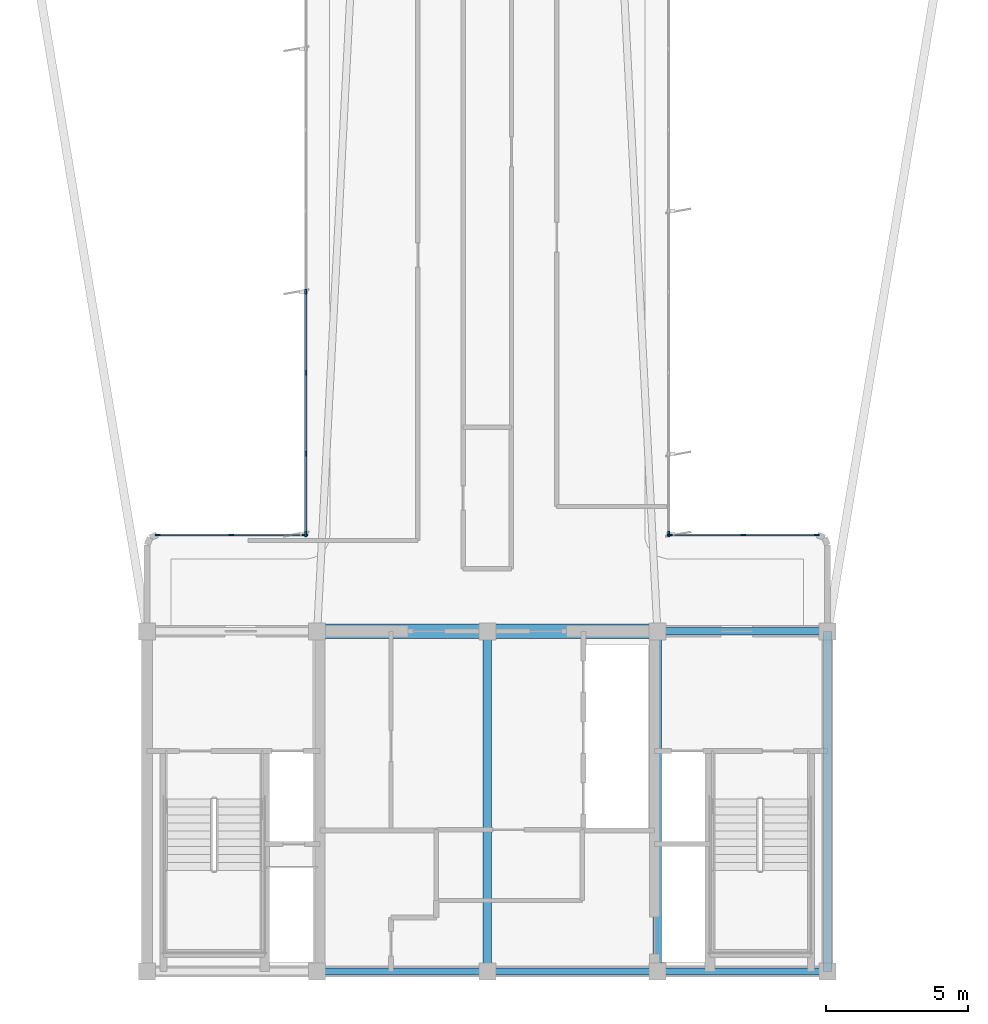
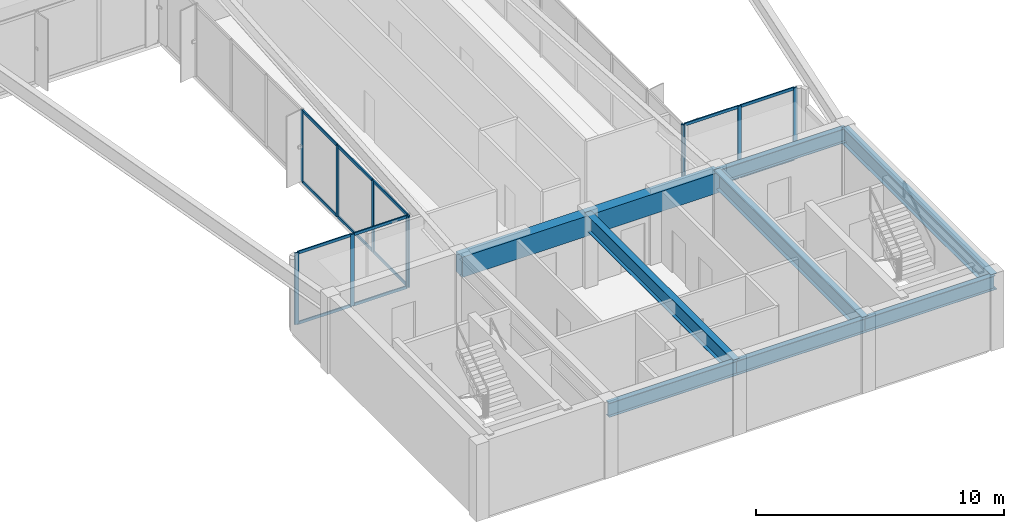
# One storey, part 2 of 15: 25 members, 8 beams, 4 elements without a shape of their own.
"""IFC4 building model written with IfcOpenShell, lengths in metres."""

from ifc_helpers import new_model, si_unit, direction, frame, origin, origin_2d, place, context, subcontext, project, spatial, rectangle, i_section, extrude, source, transform, mapped, material, layer, layer_set, material_profile, profile_set, type_object, element, aggregate, save


model = new_model("IFC4")

# Units and contexts
model_context = context("Model", 3, precision=1e-05, world=origin(), true_north=direction((0.0, 1.0)))
body_context = subcontext(model_context, "Body", "Model", "MODEL_VIEW")
ifc_project = project(units=[si_unit("LENGTHUNIT", "METRE"), si_unit("AREAUNIT", "SQUARE_METRE"), si_unit("VOLUMEUNIT", "CUBIC_METRE"), si_unit("PLANEANGLEUNIT", "RADIAN"), si_unit("MASSUNIT", "GRAM", prefix="KILO")], contexts=[model_context])

# Site, building, storey
site_placement = place(None, origin())
site = spatial("IfcSite", under=ifc_project, at=site_placement, CompositionType="ELEMENT")
building_placement = place(site_placement, origin())
building = spatial("IfcBuilding", under=site, at=building_placement, Name="Brelvock Crest Care Tower", CompositionType="ELEMENT")
storey_placement = place(building_placement, frame((0.0, 0.0, 249.47998046875)))
storey = spatial("IfcBuildingStorey", under=building, at=storey_placement, Name="L63", CompositionType="ELEMENT", Elevation=249.47998046875)

# Beams
ifc_material_1 = material(Name="Steel Grade 350", Category="steel")
ifc_material_profile_1 = material_profile(ifc_material_1, i_section(OverallWidth=0.25, OverallDepth=0.699951171875, WebThickness=0.011962890625, FlangeThickness=0.02001953125, at=origin_2d()), Name="700WB150")
ifc_profile_set_1 = profile_set([ifc_material_profile_1], Name="Steel Grade 350")
beam_type_1 = type_object("IfcBeamType", Name="BM-G4", PredefinedType="BEAM", material=ifc_profile_set_1)
shared_shape_1 = source(origin(), body_context, "Body", "SweptSolid", [
    extrude(i_section(OverallWidth=0.25, OverallDepth=0.699951171875, WebThickness=0.011962890625, FlangeThickness=0.02001953125, at=origin_2d()), origin(), (0.0, 0.0, 1.0), 6.0),
])
for number, where, z_axis, x_axis, name in (
    (1, (30.0, 6.0, 3.179931640625), (1.0, 0.0, 0.0), (0.0, 1.0, 0.0), "BM-CORES-L63-2"),
    (2, (36.0, 6.0, 3.179931640625), (1.0, 0.0, 0.0), (0.0, 1.0, 0.0), "BM-CORES-L63-3"),
    (3, (42.0, 6.0, 3.179931640625), (1.0, 0.0, 0.0), (0.0, 1.0, 0.0), "BM-CORES-L63-4"),
    (4, (42.0, 18.0, 3.179931640625), (1.0, 0.0, 0.0), (0.0, 1.0, 0.0), "BM-COREN-L63-4"),
):
    element("IfcBeam", number, at=place(storey_placement, frame(where, z_axis=z_axis, x_axis=x_axis)), inside=storey, type_object=beam_type_1, Name=name, PredefinedType="BEAM", context=body_context, shape_type="MappedRepresentation", body=[
        mapped(shared_shape_1, transform((0.0, 0.0, 0.0), x_axis=(1.0, 0.0, 0.0), y_axis=(0.0, 1.0, 0.0), z_axis=(0.0, 0.0, 1.0), scale=1.0)),
    ])
ifc_material_profile_2 = material_profile(ifc_material_1, i_section(OverallWidth=0.300048828125, OverallDepth=0.800048828125, WebThickness=0.013916015625, FlangeThickness=0.02197265625, at=origin_2d()), Name="800WB192")
ifc_profile_set_2 = profile_set([ifc_material_profile_2], Name="Steel Grade 350")
beam_type_2 = type_object("IfcBeamType", Name="BM-G5", PredefinedType="BEAM", material=ifc_profile_set_2)
shared_shape_2 = source(origin(), body_context, "Body", "SweptSolid", [
    extrude(i_section(OverallWidth=0.300048828125, OverallDepth=0.800048828125, WebThickness=0.013916015625, FlangeThickness=0.02197265625, at=origin_2d()), origin(), (0.0, 0.0, 1.0), 12.0),
])
for number, where, z_axis, x_axis, name in (
    (5, (36.0, 6.0, 3.130126953125), (0.0, 1.0, 0.0), (-1.0, 0.0, 0.0), "BM-COREX-L63-3"),
    (6, (42.0, 6.0, 3.130126953125), (0.0, 1.0, 0.0), (-1.0, 0.0, 0.0), "BM-COREX-L63-4"),
    (7, (48.0, 6.0, 3.130126953125), (0.0, 1.0, 0.0), (-1.0, 0.0, 0.0), "BM-COREX-L63-5"),
):
    element("IfcBeam", number, at=place(storey_placement, frame(where, z_axis=z_axis, x_axis=x_axis)), inside=storey, type_object=beam_type_2, Name=name, PredefinedType="BEAM", context=body_context, shape_type="MappedRepresentation", body=[
        mapped(shared_shape_2, transform((0.0, 0.0, 0.0), x_axis=(1.0, 0.0, 0.0), y_axis=(0.0, 1.0, 0.0), z_axis=(0.0, 0.0, 1.0), scale=1.0)),
    ])
ifc_material_2 = material(Name="Concrete S65 (65 MPa)", Category="concrete")
ifc_material_profile_3 = material_profile(ifc_material_2, rectangle(XDim=0.5, YDim=1.0, at=origin_2d()), Name="RC500x1000")
ifc_profile_set_3 = profile_set([ifc_material_profile_3], Name="Concrete S65 (65 MPa)")
beam_type_3 = type_object("IfcBeamType", Name="BM-LN2", PredefinedType="LINTEL", material=ifc_profile_set_3)
shared_shape_3 = source(origin(), body_context, "Body", "SweptSolid", [
    extrude(rectangle(XDim=0.5, YDim=1.0, at=origin_2d()), origin(), (0.0, 0.0, 1.0), 12.0),
])
beam_placement = place(storey_placement, frame((30.0, 18.0, 3.030029296875), z_axis=(1.0, 0.0, 0.0), x_axis=(0.0, 1.0, 0.0)))
element("IfcBeam", 8, at=beam_placement, inside=storey, type_object=beam_type_3, Name="L63 Core Coupling Lintel Beam", PredefinedType="LINTEL", context=body_context, shape_type="MappedRepresentation", body=[
    mapped(shared_shape_3, transform((0.0, 0.0, 0.0), x_axis=(1.0, 0.0, 0.0), y_axis=(0.0, 1.0, 0.0), z_axis=(0.0, 0.0, 1.0), scale=1.0)),
])

# Curtain wall, members
ifc_material_3 = material(Name="Dark Glass Double Glazed Low-E", Category="glass")
ifc_layer = layer(ifc_material_3, 0.239990234375, Name="CWS-5")
ifc_layer_set = layer_set([ifc_layer], Name="Dark Glass Double Glazed Low-E")
curtain_wall_type = type_object("IfcCurtainWallType", Name="CWS-5", PredefinedType="NOTDEFINED", material=ifc_layer_set)
curtain_wall_1_placement = place(storey_placement, origin())
curtain_wall_1 = element("IfcCurtainWall", 9, at=curtain_wall_1_placement, inside=storey, type_object=curtain_wall_type, Name="L63 Curtain Wall E10", PredefinedType="NOTDEFINED")
ifc_material_4 = material(Name="Aluminium 6063-T6", Category="aluminium")
ifc_material_profile_4 = material_profile(ifc_material_4, rectangle(XDim=0.06005859375, YDim=0.179931640625, at=origin_2d()), Name="ALU60x180")
ifc_profile_set_4 = profile_set([ifc_material_profile_4], Name="Aluminium 6063-T6")
member_type_1 = type_object("IfcMemberType", Name="CWM-2", PredefinedType="MULLION", material=ifc_profile_set_4)
shared_shape_4 = source(origin(), body_context, "Body", "SweptSolid", [
    extrude(rectangle(XDim=0.06005859375, YDim=0.179931640625, at=origin_2d()), origin(), (0.0, 0.0, 1.0), 3.530029296875),
])
member_1_placement = place(storey_placement, frame((24.3798828125, 21.39990234375, 0.0), z_axis=(0.0, 0.0, 1.0), x_axis=(0.0, 1.0, 0.0)))
member_1 = element("IfcMember", 10, at=member_1_placement, type_object=member_type_1, Name="CW-5 mullion 1", PredefinedType="MULLION", context=body_context, shape_type="MappedRepresentation", body=[
    mapped(shared_shape_4, transform((0.0, 0.0, 0.0), x_axis=(1.0, 0.0, 0.0), y_axis=(0.0, 1.0, 0.0), z_axis=(0.0, 0.0, 1.0), scale=1.0)),
])
member_2_placement = place(storey_placement, frame((26.97509765625, 21.39990234375, 0.0), z_axis=(0.0, 0.0, 1.0), x_axis=(0.0, 1.0, 0.0)))
member_2 = element("IfcMember", 11, at=member_2_placement, type_object=member_type_1, Name="CW-5 mullion 2", PredefinedType="MULLION", context=body_context, shape_type="MappedRepresentation", body=[
    mapped(shared_shape_4, transform((0.0, 0.0, 0.0), x_axis=(1.0, 0.0, 0.0), y_axis=(0.0, 1.0, 0.0), z_axis=(0.0, 0.0, 1.0), scale=1.0)),
])
member_3_placement = place(storey_placement, frame((29.570068359375, 21.39990234375, 0.0), z_axis=(0.0, 0.0, 1.0), x_axis=(0.0, 1.0, 0.0)))
member_3 = element("IfcMember", 12, at=member_3_placement, type_object=member_type_1, Name="CW-5 mullion 3", PredefinedType="MULLION", context=body_context, shape_type="MappedRepresentation", body=[
    mapped(shared_shape_4, transform((0.0, 0.0, 0.0), x_axis=(1.0, 0.0, 0.0), y_axis=(0.0, 1.0, 0.0), z_axis=(0.0, 0.0, 1.0), scale=1.0)),
])

curtain_wall_2_placement = place(storey_placement, origin())
curtain_wall_2 = element("IfcCurtainWall", 13, at=curtain_wall_2_placement, inside=storey, type_object=curtain_wall_type, Name="L63 Curtain Wall E11", PredefinedType="NOTDEFINED")
member_4_placement = place(storey_placement, frame((29.60009765625, 21.429931640625, 0.0), z_axis=(0.0, 0.0, 1.0), x_axis=(-1.0, 0.0, 0.0)))
member_4 = element("IfcMember", 14, at=member_4_placement, type_object=member_type_1, Name="CW-5 mullion 1", PredefinedType="MULLION", context=body_context, shape_type="MappedRepresentation", body=[
    mapped(shared_shape_4, transform((0.0, 0.0, 0.0), x_axis=(1.0, 0.0, 0.0), y_axis=(0.0, 1.0, 0.0), z_axis=(0.0, 0.0, 1.0), scale=1.0)),
])
member_5_placement = place(storey_placement, frame((29.60009765625, 24.257080078125, 0.0), z_axis=(0.0, 0.0, 1.0), x_axis=(-1.0, 0.0, 0.0)))
member_5 = element("IfcMember", 15, at=member_5_placement, type_object=member_type_1, Name="CW-5 mullion 2", PredefinedType="MULLION", context=body_context, shape_type="MappedRepresentation", body=[
    mapped(shared_shape_4, transform((0.0, 0.0, 0.0), x_axis=(1.0, 0.0, 0.0), y_axis=(0.0, 1.0, 0.0), z_axis=(0.0, 0.0, 1.0), scale=1.0)),
])
member_6_placement = place(storey_placement, frame((29.60009765625, 27.1142578125, 0.0), z_axis=(0.0, 0.0, 1.0), x_axis=(-1.0, 0.0, 0.0)))
member_6 = element("IfcMember", 16, at=member_6_placement, type_object=member_type_1, Name="CW-5 mullion 3", PredefinedType="MULLION", context=body_context, shape_type="MappedRepresentation", body=[
    mapped(shared_shape_4, transform((0.0, 0.0, 0.0), x_axis=(1.0, 0.0, 0.0), y_axis=(0.0, 1.0, 0.0), z_axis=(0.0, 0.0, 1.0), scale=1.0)),
])
member_7_placement = place(storey_placement, frame((29.60009765625, 29.971435546875, 0.0), z_axis=(0.0, 0.0, 1.0), x_axis=(-1.0, 0.0, 0.0)))
member_7 = element("IfcMember", 17, at=member_7_placement, type_object=member_type_1, Name="CW-5 mullion 4", PredefinedType="MULLION", context=body_context, shape_type="MappedRepresentation", body=[
    mapped(shared_shape_4, transform((0.0, 0.0, 0.0), x_axis=(1.0, 0.0, 0.0), y_axis=(0.0, 1.0, 0.0), z_axis=(0.0, 0.0, 1.0), scale=1.0)),
])

# Curtain wall, member
curtain_wall_3_placement = place(storey_placement, origin())
curtain_wall_3 = element("IfcCurtainWall", 18, at=curtain_wall_3_placement, inside=storey, type_object=curtain_wall_type, Name="L63 Curtain Wall E45", PredefinedType="NOTDEFINED")
member_8_placement = place(storey_placement, frame((42.39990234375, 21.429931640625, 0.0), z_axis=(0.0, 0.0, 1.0), x_axis=(1.0, 0.0, 0.0)))
member_8 = element("IfcMember", 19, at=member_8_placement, type_object=member_type_1, Name="CW-5 mullion 8", PredefinedType="MULLION", context=body_context, shape_type="MappedRepresentation", body=[
    mapped(shared_shape_4, transform((0.0, 0.0, 0.0), x_axis=(1.0, 0.0, 0.0), y_axis=(0.0, 1.0, 0.0), z_axis=(0.0, 0.0, 1.0), scale=1.0)),
])
aggregate(curtain_wall_3, [member_8])

# Curtain wall, members
curtain_wall_4_placement = place(storey_placement, origin())
curtain_wall_4 = element("IfcCurtainWall", 20, at=curtain_wall_4_placement, inside=storey, type_object=curtain_wall_type, Name="L63 Curtain Wall E46", PredefinedType="NOTDEFINED")
member_9_placement = place(storey_placement, frame((42.429931640625, 21.39990234375, 0.0), z_axis=(0.0, 0.0, 1.0), x_axis=(0.0, 1.0, 0.0)))
member_9 = element("IfcMember", 21, at=member_9_placement, type_object=member_type_1, Name="CW-5 mullion 1", PredefinedType="MULLION", context=body_context, shape_type="MappedRepresentation", body=[
    mapped(shared_shape_4, transform((0.0, 0.0, 0.0), x_axis=(1.0, 0.0, 0.0), y_axis=(0.0, 1.0, 0.0), z_axis=(0.0, 0.0, 1.0), scale=1.0)),
])
member_10_placement = place(storey_placement, frame((45.02490234375, 21.39990234375, 0.0), z_axis=(0.0, 0.0, 1.0), x_axis=(0.0, 1.0, 0.0)))
member_10 = element("IfcMember", 22, at=member_10_placement, type_object=member_type_1, Name="CW-5 mullion 2", PredefinedType="MULLION", context=body_context, shape_type="MappedRepresentation", body=[
    mapped(shared_shape_4, transform((0.0, 0.0, 0.0), x_axis=(1.0, 0.0, 0.0), y_axis=(0.0, 1.0, 0.0), z_axis=(0.0, 0.0, 1.0), scale=1.0)),
])
member_11_placement = place(storey_placement, frame((47.6201171875, 21.39990234375, 0.0), z_axis=(0.0, 0.0, 1.0), x_axis=(0.0, 1.0, 0.0)))
member_11 = element("IfcMember", 23, at=member_11_placement, type_object=member_type_1, Name="CW-5 mullion 3", PredefinedType="MULLION", context=body_context, shape_type="MappedRepresentation", body=[
    mapped(shared_shape_4, transform((0.0, 0.0, 0.0), x_axis=(1.0, 0.0, 0.0), y_axis=(0.0, 1.0, 0.0), z_axis=(0.0, 0.0, 1.0), scale=1.0)),
])

# Member
ifc_material_profile_5 = material_profile(ifc_material_4, rectangle(XDim=0.06005859375, YDim=0.139892578125, at=origin_2d()), Name="ALU60x140")
ifc_profile_set_5 = profile_set([ifc_material_profile_5], Name="Aluminium 6063-T6")
member_type_2 = type_object("IfcMemberType", Name="CWT-2", PredefinedType="USERDEFINED", material=ifc_profile_set_5)
shared_shape_5 = source(origin(), body_context, "Body", "SweptSolid", [
    extrude(rectangle(XDim=0.06005859375, YDim=0.139892578125, at=origin_2d()), origin(), (0.0, 0.0, 1.0), 2.53515625),
])
member_12_placement = place(storey_placement, frame((24.409912109375, 21.39990234375, 0.030029296875), z_axis=(1.0, 0.0, 0.0), x_axis=(0.0, 1.0, 0.0)))
member_12 = element("IfcMember", 24, at=member_12_placement, type_object=member_type_2, Name="CW-5 transom 1.1", ObjectType="TRANSOM", PredefinedType="USERDEFINED", context=body_context, shape_type="MappedRepresentation", body=[
    mapped(shared_shape_5, transform((0.0, 0.0, 0.0), x_axis=(1.0, 0.0, 0.0), y_axis=(0.0, 1.0, 0.0), z_axis=(0.0, 0.0, 1.0), scale=1.0)),
])

member_13_placement = place(storey_placement, frame((24.409912109375, 21.39990234375, 3.5), z_axis=(1.0, 0.0, 0.0), x_axis=(0.0, 1.0, 0.0)))
member_13 = element("IfcMember", 25, at=member_13_placement, type_object=member_type_2, Name="CW-5 transom 1.2", ObjectType="TRANSOM", PredefinedType="USERDEFINED", context=body_context, shape_type="MappedRepresentation", body=[
    mapped(shared_shape_5, transform((0.0, 0.0, 0.0), x_axis=(1.0, 0.0, 0.0), y_axis=(0.0, 1.0, 0.0), z_axis=(0.0, 0.0, 1.0), scale=1.0)),
])

member_14_placement = place(storey_placement, frame((27.0048828125, 21.39990234375, 0.030029296875), z_axis=(1.0, 0.0, 0.0), x_axis=(0.0, 1.0, 0.0)))
member_14 = element("IfcMember", 26, at=member_14_placement, type_object=member_type_2, Name="CW-5 transom 2.1", ObjectType="TRANSOM", PredefinedType="USERDEFINED", context=body_context, shape_type="MappedRepresentation", body=[
    mapped(shared_shape_5, transform((0.0, 0.0, 0.0), x_axis=(1.0, 0.0, 0.0), y_axis=(0.0, 1.0, 0.0), z_axis=(0.0, 0.0, 1.0), scale=1.0)),
])

member_15_placement = place(storey_placement, frame((27.0048828125, 21.39990234375, 3.5), z_axis=(1.0, 0.0, 0.0), x_axis=(0.0, 1.0, 0.0)))
member_15 = element("IfcMember", 27, at=member_15_placement, type_object=member_type_2, Name="CW-5 transom 2.2", ObjectType="TRANSOM", PredefinedType="USERDEFINED", context=body_context, shape_type="MappedRepresentation", body=[
    mapped(shared_shape_5, transform((0.0, 0.0, 0.0), x_axis=(1.0, 0.0, 0.0), y_axis=(0.0, 1.0, 0.0), z_axis=(0.0, 0.0, 1.0), scale=1.0)),
])

aggregate(curtain_wall_1, [member_1, member_2, member_3, member_12, member_13, member_14, member_15])

member_16_placement = place(storey_placement, frame((42.4599609375, 21.39990234375, 0.030029296875), z_axis=(1.0, 0.0, 0.0), x_axis=(0.0, 1.0, 0.0)))
member_16 = element("IfcMember", 28, at=member_16_placement, type_object=member_type_2, Name="CW-5 transom 1.1", ObjectType="TRANSOM", PredefinedType="USERDEFINED", context=body_context, shape_type="MappedRepresentation", body=[
    mapped(shared_shape_5, transform((0.0, 0.0, 0.0), x_axis=(1.0, 0.0, 0.0), y_axis=(0.0, 1.0, 0.0), z_axis=(0.0, 0.0, 1.0), scale=1.0)),
])

member_17_placement = place(storey_placement, frame((42.4599609375, 21.39990234375, 3.5), z_axis=(1.0, 0.0, 0.0), x_axis=(0.0, 1.0, 0.0)))
member_17 = element("IfcMember", 29, at=member_17_placement, type_object=member_type_2, Name="CW-5 transom 1.2", ObjectType="TRANSOM", PredefinedType="USERDEFINED", context=body_context, shape_type="MappedRepresentation", body=[
    mapped(shared_shape_5, transform((0.0, 0.0, 0.0), x_axis=(1.0, 0.0, 0.0), y_axis=(0.0, 1.0, 0.0), z_axis=(0.0, 0.0, 1.0), scale=1.0)),
])

member_18_placement = place(storey_placement, frame((45.054931640625, 21.39990234375, 0.030029296875), z_axis=(1.0, 0.0, 0.0), x_axis=(0.0, 1.0, 0.0)))
member_18 = element("IfcMember", 30, at=member_18_placement, type_object=member_type_2, Name="CW-5 transom 2.1", ObjectType="TRANSOM", PredefinedType="USERDEFINED", context=body_context, shape_type="MappedRepresentation", body=[
    mapped(shared_shape_5, transform((0.0, 0.0, 0.0), x_axis=(1.0, 0.0, 0.0), y_axis=(0.0, 1.0, 0.0), z_axis=(0.0, 0.0, 1.0), scale=1.0)),
])

member_19_placement = place(storey_placement, frame((45.054931640625, 21.39990234375, 3.5), z_axis=(1.0, 0.0, 0.0), x_axis=(0.0, 1.0, 0.0)))
member_19 = element("IfcMember", 31, at=member_19_placement, type_object=member_type_2, Name="CW-5 transom 2.2", ObjectType="TRANSOM", PredefinedType="USERDEFINED", context=body_context, shape_type="MappedRepresentation", body=[
    mapped(shared_shape_5, transform((0.0, 0.0, 0.0), x_axis=(1.0, 0.0, 0.0), y_axis=(0.0, 1.0, 0.0), z_axis=(0.0, 0.0, 1.0), scale=1.0)),
])

aggregate(curtain_wall_4, [member_9, member_10, member_11, member_16, member_17, member_18, member_19])

shared_shape_6 = source(origin(), body_context, "Body", "SweptSolid", [
    extrude(rectangle(XDim=0.06005859375, YDim=0.139892578125, at=origin_2d()), origin(), (0.0, 0.0, 1.0), 2.76708984375),
])
member_20_placement = place(storey_placement, frame((29.60009765625, 21.4599609375, 0.030029296875), z_axis=(0.0, 1.0, 0.0), x_axis=(-1.0, 0.0, 0.0)))
member_20 = element("IfcMember", 32, at=member_20_placement, type_object=member_type_2, Name="CW-5 transom 1.1", ObjectType="TRANSOM", PredefinedType="USERDEFINED", context=body_context, shape_type="MappedRepresentation", body=[
    mapped(shared_shape_6, transform((0.0, 0.0, 0.0), x_axis=(1.0, 0.0, 0.0), y_axis=(0.0, 1.0, 0.0), z_axis=(0.0, 0.0, 1.0), scale=1.0)),
])

member_21_placement = place(storey_placement, frame((29.60009765625, 21.4599609375, 3.5), z_axis=(0.0, 1.0, 0.0), x_axis=(-1.0, 0.0, 0.0)))
member_21 = element("IfcMember", 33, at=member_21_placement, type_object=member_type_2, Name="CW-5 transom 1.2", ObjectType="TRANSOM", PredefinedType="USERDEFINED", context=body_context, shape_type="MappedRepresentation", body=[
    mapped(shared_shape_6, transform((0.0, 0.0, 0.0), x_axis=(1.0, 0.0, 0.0), y_axis=(0.0, 1.0, 0.0), z_axis=(0.0, 0.0, 1.0), scale=1.0)),
])

shared_shape_7 = source(origin(), body_context, "Body", "SweptSolid", [
    extrude(rectangle(XDim=0.06005859375, YDim=0.139892578125, at=origin_2d()), origin(), (0.0, 0.0, 1.0), 2.797119140625),
])
member_22_placement = place(storey_placement, frame((29.60009765625, 24.287109375, 0.030029296875), z_axis=(0.0, 1.0, 0.0), x_axis=(-1.0, 0.0, 0.0)))
member_22 = element("IfcMember", 34, at=member_22_placement, type_object=member_type_2, Name="CW-5 transom 2.1", ObjectType="TRANSOM", PredefinedType="USERDEFINED", context=body_context, shape_type="MappedRepresentation", body=[
    mapped(shared_shape_7, transform((0.0, 0.0, 0.0), x_axis=(1.0, 0.0, 0.0), y_axis=(0.0, 1.0, 0.0), z_axis=(0.0, 0.0, 1.0), scale=1.0)),
])

member_23_placement = place(storey_placement, frame((29.60009765625, 24.287109375, 3.5), z_axis=(0.0, 1.0, 0.0), x_axis=(-1.0, 0.0, 0.0)))
member_23 = element("IfcMember", 35, at=member_23_placement, type_object=member_type_2, Name="CW-5 transom 2.2", ObjectType="TRANSOM", PredefinedType="USERDEFINED", context=body_context, shape_type="MappedRepresentation", body=[
    mapped(shared_shape_7, transform((0.0, 0.0, 0.0), x_axis=(1.0, 0.0, 0.0), y_axis=(0.0, 1.0, 0.0), z_axis=(0.0, 0.0, 1.0), scale=1.0)),
])

member_24_placement = place(storey_placement, frame((29.60009765625, 27.144287109375, 0.030029296875), z_axis=(0.0, 1.0, 0.0), x_axis=(-1.0, 0.0, 0.0)))
member_24 = element("IfcMember", 36, at=member_24_placement, type_object=member_type_2, Name="CW-5 transom 3.1", ObjectType="TRANSOM", PredefinedType="USERDEFINED", context=body_context, shape_type="MappedRepresentation", body=[
    mapped(shared_shape_7, transform((0.0, 0.0, 0.0), x_axis=(1.0, 0.0, 0.0), y_axis=(0.0, 1.0, 0.0), z_axis=(0.0, 0.0, 1.0), scale=1.0)),
])

member_25_placement = place(storey_placement, frame((29.60009765625, 27.144287109375, 3.5), z_axis=(0.0, 1.0, 0.0), x_axis=(-1.0, 0.0, 0.0)))
member_25 = element("IfcMember", 37, at=member_25_placement, type_object=member_type_2, Name="CW-5 transom 3.2", ObjectType="TRANSOM", PredefinedType="USERDEFINED", context=body_context, shape_type="MappedRepresentation", body=[
    mapped(shared_shape_7, transform((0.0, 0.0, 0.0), x_axis=(1.0, 0.0, 0.0), y_axis=(0.0, 1.0, 0.0), z_axis=(0.0, 0.0, 1.0), scale=1.0)),
])

aggregate(curtain_wall_2, [member_4, member_5, member_6, member_7, member_20, member_21, member_22, member_23, member_24, member_25])

save(model, "model.ifc")
